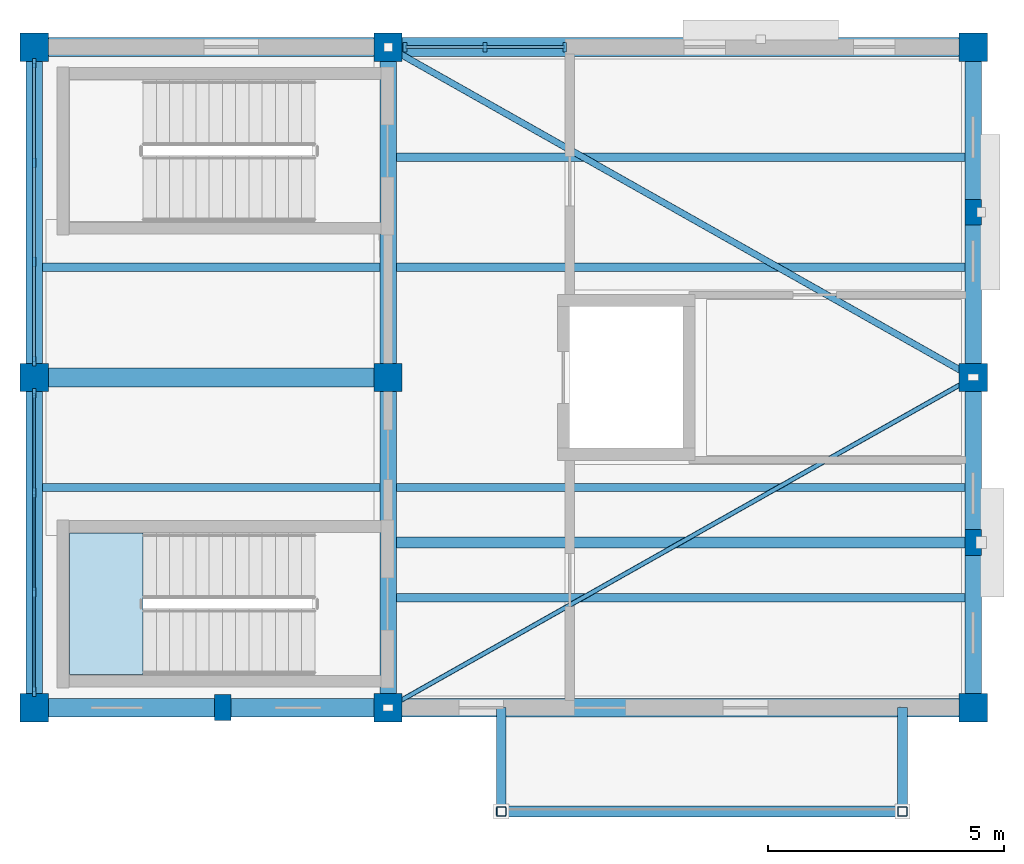
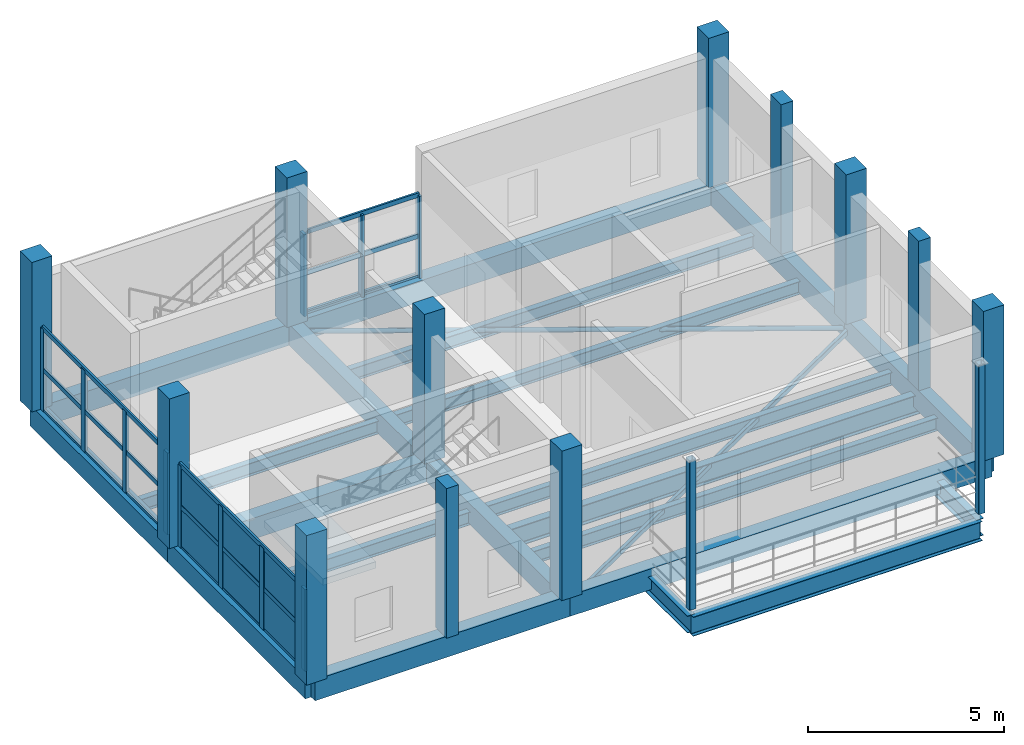
# One storey, part 1 of 4: 22 members, 21 beams, 14 columns, 6 plates, 1 slab, 4 elements without a shape of their own.
"""IFC4 building model written with IfcOpenShell, lengths in metres."""

from ifc_helpers import new_model, si_unit, direction, frame, origin, origin_2d, place, context, subcontext, project, spatial, polyline, rectangle, hollow_rectangle, hollow_circle, i_section, outline, extrude, material, layer, layer_set, material_profile, profile_set, type_object, element, aggregate, save


model = new_model("IFC4")

# Units and contexts
model_context = context("Model", 3, precision=1e-05, world=origin(), true_north=direction((0.0, 1.0)))
body_context = subcontext(model_context, "Body", "Model", "MODEL_VIEW")
ifc_project = project(units=[si_unit("LENGTHUNIT", "METRE"), si_unit("AREAUNIT", "SQUARE_METRE"), si_unit("VOLUMEUNIT", "CUBIC_METRE"), si_unit("PLANEANGLEUNIT", "RADIAN"), si_unit("MASSUNIT", "GRAM", prefix="KILO")], contexts=[model_context])

# Site, building, storey
site_placement = place(None, origin())
site = spatial("IfcSite", under=ifc_project, at=site_placement, CompositionType="ELEMENT")
building_placement = place(site_placement, origin())
building = spatial("IfcBuilding", under=site, at=building_placement, Name="Trellovar Central Fire Station", CompositionType="ELEMENT")
storey_placement = place(building_placement, frame((0.0, 0.0, 17.39990234375)))
storey = spatial("IfcBuildingStorey", under=building, at=storey_placement, Name="L05", CompositionType="ELEMENT", Elevation=17.39990234375)

# Columns
ifc_material_1 = material(Name="Concrete C40/50", Category="concrete")
ifc_material_profile_1 = material_profile(ifc_material_1, rectangle(XDim=0.60009765625, YDim=0.60009765625, at=origin_2d()), Name="RC600X600")
ifc_profile_set_1 = profile_set([ifc_material_profile_1], Name="Concrete C40/50")
column_type_1 = type_object("IfcColumnType", Name="COL-C6", PredefinedType="COLUMN", material=ifc_profile_set_1)
for number, where, z_axis, x_axis, name in (
    (1, (141.10009765625, 59.0, 0.0), (0.0, 0.0, 1.0), (1.0, 0.0, 0.0), "L05 column C-6"),
    (2, (141.10009765625, 66.0, 0.0), (0.0, 0.0, 1.0), (1.0, 0.0, 0.0), "L05 column C-6"),
    (3, (141.10009765625, 73.0, 0.0), (0.0, 0.0, 1.0), (1.0, 0.0, 0.0), "L05 column C-6"),
    (4, (148.60009765625, 59.0, 0.0), (0.0, 0.0, 1.0), (1.0, 0.0, 0.0), "L05 column C-6"),
    (5, (148.60009765625, 66.0, 0.0), (0.0, 0.0, 1.0), (1.0, 0.0, 0.0), "L05 column C-6"),
    (6, (148.60009765625, 73.0, 0.0), (0.0, 0.0, 1.0), (1.0, 0.0, 0.0), "L05 column C-6"),
    (7, (161.0, 59.0, 0.0), (0.0, 0.0, 1.0), (1.0, 0.0, 0.0), "L05 column C-6"),
    (8, (161.0, 66.0, 0.0), (0.0, 0.0, 1.0), (1.0, 0.0, 0.0), "L05 column C-6"),
    (9, (161.0, 73.0, 0.0), (0.0, 0.0, 1.0), (1.0, 0.0, 0.0), "L05 column C-6"),
):
    element("IfcColumn", number, at=place(storey_placement, frame(where, z_axis=z_axis, x_axis=x_axis)), inside=storey, type_object=column_type_1, Name=name, PredefinedType="COLUMN", context=body_context, shape_type="SweptSolid", body=[
        extrude(rectangle(XDim=0.60009765625, YDim=0.60009765625, at=origin_2d()), origin(), (0.0, 0.0, 1.0), 4.650146484375),
    ])
ifc_material_2 = material(Name="Concrete C40/50", Category="concrete")
ifc_material_profile_2 = material_profile(ifc_material_2, rectangle(XDim=0.35009765625, YDim=0.550048828125, at=origin_2d()), Name="RC350X550")
ifc_profile_set_2 = profile_set([ifc_material_profile_2], Name="Concrete C40/50")
column_type_2 = type_object("IfcColumnType", Name="COL-PIL2", PredefinedType="PILASTER", material=ifc_profile_set_2)
for number, where, z_axis, x_axis, name in (
    (10, (145.10009765625, 59.0, 0.0), (0.0, 0.0, 1.0), (1.0, 0.0, 0.0), "V2 drill tower vertical buttress fin L05-1"),
    (11, (161.0, 62.5, 0.0), (0.0, 0.0, 1.0), (1.0, 0.0, 0.0), "V2 drill tower vertical buttress fin L05-2"),
    (12, (161.0, 69.5, 0.0), (0.0, 0.0, 1.0), (1.0, 0.0, 0.0), "V2 drill tower vertical buttress fin L05-3"),
):
    element("IfcColumn", number, at=place(storey_placement, frame(where, z_axis=z_axis, x_axis=x_axis)), inside=storey, type_object=column_type_2, Name=name, PredefinedType="PILASTER", context=body_context, shape_type="SweptSolid", body=[
        extrude(rectangle(XDim=0.35009765625, YDim=0.550048828125, at=origin_2d()), origin(), (0.0, 0.0, 1.0), 4.650146484375),
    ])
ifc_material_3 = material(Name="Steel ASTM A500 Grade C", Category="steel")
ifc_material_profile_3 = material_profile(ifc_material_3, hollow_rectangle(XDim=0.203125, YDim=0.203125, WallThickness=0.01171875, InnerFilletRadius=0.01171875, OuterFilletRadius=0.023681640625, at=origin_2d()), Name="HSS8X8X1/2")
ifc_profile_set_3 = profile_set([ifc_material_profile_3], Name="Steel ASTM A500 Grade C")
column_type_3 = type_object("IfcColumnType", Name="COL-SC5", PredefinedType="COLUMN", material=ifc_profile_set_3)
for number, where, z_axis, x_axis, name in (
    (13, (151.0, 56.800048828125, 0.0), (0.0, 0.0, 1.0), (1.0, 0.0, 0.0), "V2 L05 training balcony support post"),
    (14, (159.5, 56.800048828125, 0.0), (0.0, 0.0, 1.0), (1.0, 0.0, 0.0), "V2 L05 training balcony support post"),
):
    element("IfcColumn", number, at=place(storey_placement, frame(where, z_axis=z_axis, x_axis=x_axis)), inside=storey, type_object=column_type_3, Name=name, PredefinedType="COLUMN", context=body_context, shape_type="SweptSolid", body=[
        extrude(hollow_rectangle(XDim=0.203125, YDim=0.203125, WallThickness=0.01171875, InnerFilletRadius=0.01171875, OuterFilletRadius=0.023681640625, at=origin_2d()), origin(), (0.0, 0.0, 1.0), 4.650146484375),
    ])

# Beams
ifc_material_4 = material(Name="Concrete C40/50", Category="concrete")
ifc_material_profile_4 = material_profile(ifc_material_4, rectangle(XDim=0.39990234375, YDim=0.64990234375, at=origin_2d()), Name="RC400X650")
ifc_profile_set_4 = profile_set([ifc_material_profile_4], Name="Concrete C40/50")
beam_type_1 = type_object("IfcBeamType", Name="BM-G4", PredefinedType="BEAM", material=ifc_profile_set_4)
beam_1_placement = place(storey_placement, frame((141.10009765625, 59.0, -0.324951171875), z_axis=(1.0, 0.0, 0.0), x_axis=(0.0, 1.0, 0.0)))
element("IfcBeam", 15, at=beam_1_placement, inside=storey, type_object=beam_type_1, Name="L05 beam G-4", PredefinedType="BEAM", context=body_context, shape_type="SweptSolid", body=[
    extrude(rectangle(XDim=0.39990234375, YDim=0.64990234375, at=origin_2d()), origin(), (0.0, 0.0, 1.0), 7.5),
])
beam_2_placement = place(storey_placement, frame((148.60009765625, 59.0, -0.324951171875), z_axis=(1.0, 0.0, 0.0), x_axis=(0.0, 1.0, 0.0)))
element("IfcBeam", 16, at=beam_2_placement, inside=storey, type_object=beam_type_1, Name="L05 beam G-4", PredefinedType="BEAM", context=body_context, shape_type="SweptSolid", body=[
    extrude(rectangle(XDim=0.39990234375, YDim=0.64990234375, at=origin_2d()), origin(), (0.0, 0.0, 1.0), 12.39990234375),
])
for number, where, z_axis, x_axis, name in (
    (17, (141.10009765625, 66.0, -0.324951171875), (1.0, 0.0, 0.0), (0.0, 1.0, 0.0), "L05 beam G-4"),
    (18, (141.10009765625, 73.0, -0.324951171875), (1.0, 0.0, 0.0), (0.0, 1.0, 0.0), "L05 beam G-4"),
):
    element("IfcBeam", number, at=place(storey_placement, frame(where, z_axis=z_axis, x_axis=x_axis)), inside=storey, type_object=beam_type_1, Name=name, PredefinedType="BEAM", context=body_context, shape_type="SweptSolid", body=[
        extrude(rectangle(XDim=0.39990234375, YDim=0.64990234375, at=origin_2d()), origin(), (0.0, 0.0, 1.0), 7.5),
    ])
beam_3_placement = place(storey_placement, frame((148.60009765625, 73.0, -0.324951171875), z_axis=(1.0, 0.0, 0.0), x_axis=(0.0, 1.0, 0.0)))
element("IfcBeam", 19, at=beam_3_placement, inside=storey, type_object=beam_type_1, Name="L05 beam G-4", PredefinedType="BEAM", context=body_context, shape_type="SweptSolid", body=[
    extrude(rectangle(XDim=0.39990234375, YDim=0.64990234375, at=origin_2d()), origin(), (0.0, 0.0, 1.0), 12.39990234375),
])
ifc_material_5 = material(Name="Concrete C40/50", Category="concrete")
ifc_material_profile_5 = material_profile(ifc_material_5, rectangle(XDim=0.35009765625, YDim=0.64990234375, at=origin_2d()), Name="RC350X650")
ifc_profile_set_5 = profile_set([ifc_material_profile_5], Name="Concrete C40/50")
beam_type_2 = type_object("IfcBeamType", Name="BM-G5", PredefinedType="BEAM", material=ifc_profile_set_5)
for number, where, z_axis, x_axis, name in (
    (20, (141.10009765625, 59.0, -0.324951171875), (0.0, 1.0, 0.0), (-1.0, 0.0, 0.0), "L05 beam G-5"),
    (21, (141.10009765625, 66.0, -0.324951171875), (0.0, 1.0, 0.0), (-1.0, 0.0, 0.0), "L05 beam G-5"),
    (22, (148.60009765625, 59.0, -0.324951171875), (0.0, 1.0, 0.0), (-1.0, 0.0, 0.0), "L05 beam G-5"),
    (23, (148.60009765625, 66.0, -0.324951171875), (0.0, 1.0, 0.0), (-1.0, 0.0, 0.0), "L05 beam G-5"),
    (24, (161.0, 59.0, -0.324951171875), (0.0, 1.0, 0.0), (-1.0, 0.0, 0.0), "L05 beam G-5"),
    (25, (161.0, 66.0, -0.324951171875), (0.0, 1.0, 0.0), (-1.0, 0.0, 0.0), "L05 beam G-5"),
):
    element("IfcBeam", number, at=place(storey_placement, frame(where, z_axis=z_axis, x_axis=x_axis)), inside=storey, type_object=beam_type_2, Name=name, PredefinedType="BEAM", context=body_context, shape_type="SweptSolid", body=[
        extrude(rectangle(XDim=0.35009765625, YDim=0.64990234375, at=origin_2d()), origin(), (0.0, 0.0, 1.0), 7.0),
    ])
ifc_material_6 = material(Name="Steel ASTM A992 Grade 50", Category="steel")
ifc_material_profile_6 = material_profile(ifc_material_6, i_section(OverallWidth=0.177490234375, OverallDepth=0.40380859375, WebThickness=0.007568359375, FlangeThickness=0.010986328125, FilletRadius=0.011474609375, at=origin_2d()), Name="W16X36")
ifc_profile_set_6 = profile_set([ifc_material_profile_6], Name="Steel ASTM A992 Grade 50")
beam_type_3 = type_object("IfcBeamType", Name="BM-SW11", PredefinedType="JOIST", material=ifc_profile_set_6)
for number, where, z_axis, x_axis, name in (
    (26, (141.27001953125, 63.666748046875, -0.44189453125), (1.0, 0.0, 0.0), (0.0, 1.0, 0.0), "L05 beam SB-11"),
    (27, (141.27001953125, 68.333251953125, -0.44189453125), (1.0, 0.0, 0.0), (0.0, 1.0, 0.0), "L05 beam SB-11"),
):
    element("IfcBeam", number, at=place(storey_placement, frame(where, z_axis=z_axis, x_axis=x_axis)), inside=storey, type_object=beam_type_3, Name=name, PredefinedType="JOIST", context=body_context, shape_type="SweptSolid", body=[
        extrude(i_section(OverallWidth=0.177490234375, OverallDepth=0.40380859375, WebThickness=0.007568359375, FlangeThickness=0.010986328125, FilletRadius=0.011474609375, at=origin_2d()), origin(), (0.0, 0.0, 1.0), 7.159912109375),
    ])
for number, where, z_axis, x_axis, name in (
    (28, (148.77001953125, 61.333251953125, -0.44189453125), (1.0, 0.0, 0.0), (0.0, 1.0, 0.0), "L05 beam SB-11"),
    (29, (148.77001953125, 63.666748046875, -0.44189453125), (1.0, 0.0, 0.0), (0.0, 1.0, 0.0), "L05 beam SB-11"),
    (30, (148.77001953125, 68.333251953125, -0.44189453125), (1.0, 0.0, 0.0), (0.0, 1.0, 0.0), "L05 beam SB-11"),
    (31, (148.77001953125, 70.666748046875, -0.44189453125), (1.0, 0.0, 0.0), (0.0, 1.0, 0.0), "L05 beam SB-11"),
):
    element("IfcBeam", number, at=place(storey_placement, frame(where, z_axis=z_axis, x_axis=x_axis)), inside=storey, type_object=beam_type_3, Name=name, PredefinedType="JOIST", context=body_context, shape_type="SweptSolid", body=[
        extrude(i_section(OverallWidth=0.177490234375, OverallDepth=0.40380859375, WebThickness=0.007568359375, FlangeThickness=0.010986328125, FilletRadius=0.011474609375, at=origin_2d()), origin(), (0.0, 0.0, 1.0), 12.06005859375),
    ])
ifc_material_7 = material(Name="Steel ASTM A992 Grade 50", Category="steel")
ifc_material_profile_7 = material_profile(ifc_material_7, i_section(OverallWidth=0.22900390625, OverallDepth=0.612060546875, WebThickness=0.011962890625, FlangeThickness=0.01953125, FilletRadius=0.01513671875, at=origin_2d()), Name="W24X84")
ifc_profile_set_7 = profile_set([ifc_material_profile_7], Name="Steel ASTM A992 Grade 50")
beam_type_4 = type_object("IfcBeamType", Name="BM-SW5", PredefinedType="BEAM", material=ifc_profile_set_7)
beam_4_placement = place(storey_placement, frame((148.60009765625, 62.5, -0.5458984375), z_axis=(1.0, 0.0, 0.0), x_axis=(0.0, 1.0, 0.0)))
element("IfcBeam", 32, at=beam_4_placement, inside=storey, type_object=beam_type_4, Name="V2 L05 44.5 kN rappel anchor beam", PredefinedType="BEAM", context=body_context, shape_type="SweptSolid", body=[
    extrude(i_section(OverallWidth=0.22900390625, OverallDepth=0.612060546875, WebThickness=0.011962890625, FlangeThickness=0.01953125, FilletRadius=0.01513671875, at=origin_2d()), origin(), (0.0, 0.0, 1.0), 12.39990234375),
])
ifc_material_8 = material(Name="Steel ASTM A992 Grade 50", Category="steel")
ifc_material_profile_8 = material_profile(ifc_material_8, i_section(OverallWidth=0.227783203125, OverallDepth=0.60205078125, WebThickness=0.010498046875, FlangeThickness=0.014892578125, FilletRadius=0.01513671875, at=origin_2d()), Name="W24X68")
ifc_profile_set_8 = profile_set([ifc_material_profile_8], Name="Steel ASTM A992 Grade 50")
beam_type_5 = type_object("IfcBeamType", Name="BM-SW6", PredefinedType="BEAM", material=ifc_profile_set_8)
beam_5_placement = place(storey_placement, frame((151.0, 56.800048828125, -0.531005859375), z_axis=(1.0, 0.0, 0.0), x_axis=(0.0, 1.0, 0.0)))
element("IfcBeam", 33, at=beam_5_placement, inside=storey, type_object=beam_type_5, Name="V2 L05 balcony edge beam", PredefinedType="BEAM", context=body_context, shape_type="SweptSolid", body=[
    extrude(i_section(OverallWidth=0.227783203125, OverallDepth=0.60205078125, WebThickness=0.010498046875, FlangeThickness=0.014892578125, FilletRadius=0.01513671875, at=origin_2d()), origin(), (0.0, 0.0, 1.0), 8.5),
])
ifc_material_9 = material(Name="Steel ASTM A992 Grade 50", Category="steel")
ifc_material_profile_9 = material_profile(ifc_material_9, i_section(OverallWidth=0.209228515625, OverallDepth=0.533447265625, WebThickness=0.01025390625, FlangeThickness=0.015625, FilletRadius=0.013916015625, at=origin_2d()), Name="W21X62")
ifc_profile_set_9 = profile_set([ifc_material_profile_9], Name="Steel ASTM A992 Grade 50")
beam_type_6 = type_object("IfcBeamType", Name="BM-SW7", PredefinedType="BEAM", material=ifc_profile_set_9)
for number, where, z_axis, x_axis, name in (
    (34, (151.0, 56.800048828125, -0.49658203125), (0.0, 1.0, 0.0), (-1.0, 0.0, 0.0), "V2 L05 balcony tie beam"),
    (35, (159.5, 56.800048828125, -0.49658203125), (0.0, 1.0, 0.0), (-1.0, 0.0, 0.0), "V2 L05 balcony tie beam"),
):
    element("IfcBeam", number, at=place(storey_placement, frame(where, z_axis=z_axis, x_axis=x_axis)), inside=storey, type_object=beam_type_6, Name=name, PredefinedType="BEAM", context=body_context, shape_type="SweptSolid", body=[
        extrude(i_section(OverallWidth=0.209228515625, OverallDepth=0.533447265625, WebThickness=0.01025390625, FlangeThickness=0.015625, FilletRadius=0.013916015625, at=origin_2d()), origin(), (0.0, 0.0, 1.0), 2.199951171875),
    ])

# Curtain wall, members
ifc_material_10 = material(Name="Thermally broken bronze anodized aluminum", Category="aluminium")
ifc_layer_1 = layer(ifc_material_10, 0.159912109375)
ifc_layer_set_1 = layer_set([ifc_layer_1], Name="Thermally broken bronze anodized aluminum")
curtain_wall_type_1 = type_object("IfcCurtainWallType", Name="CW-08", PredefinedType="NOTDEFINED", material=ifc_layer_set_1)
curtain_wall_1_placement = place(storey_placement, origin())
curtain_wall_1 = element("IfcCurtainWall", 36, at=curtain_wall_1_placement, inside=storey, type_object=curtain_wall_type_1, Name="V2 L05 north lobby curtain wall", PredefinedType="NOTDEFINED")
ifc_material_11 = material(Name="Thermally broken bronze anodized aluminum", Category="aluminium")
ifc_material_profile_10 = material_profile(ifc_material_11, rectangle(XDim=0.074951171875, YDim=0.199951171875, at=origin_2d()), Name="ALU75X200")
ifc_profile_set_10 = profile_set([ifc_material_profile_10], Name="Thermally broken bronze anodized aluminum")
member_type_1 = type_object("IfcMemberType", Name="CWM-1", PredefinedType="MULLION", material=ifc_profile_set_10)
member_1_placement = place(storey_placement, frame((152.35009765625, 73.0, 0.0), z_axis=(0.0, 0.0, 1.0), x_axis=(1.0, 0.0, 0.0)))
member_1 = element("IfcMember", 37, at=member_1_placement, type_object=member_type_1, Name="CW3-L05-0165 mullion 1", PredefinedType="MULLION", context=body_context, shape_type="SweptSolid", body=[
    extrude(rectangle(XDim=0.074951171875, YDim=0.199951171875, at=origin_2d()), origin(), (0.0, 0.0, 1.0), 2.550048828125),
])
member_2_placement = place(storey_placement, frame((150.655029296875, 73.0, 0.0), z_axis=(0.0, 0.0, 1.0), x_axis=(1.0, 0.0, 0.0)))
member_2 = element("IfcMember", 38, at=member_2_placement, type_object=member_type_1, Name="CW3-L05-0165 mullion 2", PredefinedType="MULLION", context=body_context, shape_type="SweptSolid", body=[
    extrude(rectangle(XDim=0.074951171875, YDim=0.199951171875, at=origin_2d()), origin(), (0.0, 0.0, 1.0), 2.550048828125),
])
member_3_placement = place(storey_placement, frame((148.9599609375, 73.0, 0.0), z_axis=(0.0, 0.0, 1.0), x_axis=(1.0, 0.0, 0.0)))
member_3 = element("IfcMember", 39, at=member_3_placement, type_object=member_type_1, Name="CW3-L05-0165 mullion 3", PredefinedType="MULLION", context=body_context, shape_type="SweptSolid", body=[
    extrude(rectangle(XDim=0.074951171875, YDim=0.199951171875, at=origin_2d()), origin(), (0.0, 0.0, 1.0), 2.550048828125),
])

ifc_material_12 = material(Name="Thermally broken bronze anodized aluminum", Category="aluminium")
ifc_layer_2 = layer(ifc_material_12, 0.159912109375)
ifc_layer_set_2 = layer_set([ifc_layer_2], Name="Thermally broken bronze anodized aluminum")
curtain_wall_type_2 = type_object("IfcCurtainWallType", Name="CW-09", PredefinedType="NOTDEFINED", material=ifc_layer_set_2)
curtain_wall_2_placement = place(storey_placement, origin())
curtain_wall_2 = element("IfcCurtainWall", 40, at=curtain_wall_2_placement, inside=storey, type_object=curtain_wall_type_2, Name="V2 L05 west drill yard curtain wall", PredefinedType="NOTDEFINED")
member_4_placement = place(storey_placement, frame((141.10009765625, 59.340087890625, 0.0), z_axis=(0.0, 0.0, 1.0), x_axis=(1.0, 0.0, 0.0)))
member_4 = element("IfcMember", 41, at=member_4_placement, type_object=member_type_1, Name="CW3-L05-0166 mullion 1", PredefinedType="MULLION", context=body_context, shape_type="SweptSolid", body=[
    extrude(rectangle(XDim=0.074951171875, YDim=0.199951171875, at=origin_2d()), origin(), (0.0, 0.0, 1.0), 2.550048828125),
])
member_5_placement = place(storey_placement, frame((141.10009765625, 61.44677734375, 0.0), z_axis=(0.0, 0.0, 1.0), x_axis=(1.0, 0.0, 0.0)))
member_5 = element("IfcMember", 42, at=member_5_placement, type_object=member_type_1, Name="CW3-L05-0166 mullion 2", PredefinedType="MULLION", context=body_context, shape_type="SweptSolid", body=[
    extrude(rectangle(XDim=0.074951171875, YDim=0.199951171875, at=origin_2d()), origin(), (0.0, 0.0, 1.0), 2.550048828125),
])
member_6_placement = place(storey_placement, frame((141.10009765625, 63.55322265625, 0.0), z_axis=(0.0, 0.0, 1.0), x_axis=(1.0, 0.0, 0.0)))
member_6 = element("IfcMember", 43, at=member_6_placement, type_object=member_type_1, Name="CW3-L05-0166 mullion 3", PredefinedType="MULLION", context=body_context, shape_type="SweptSolid", body=[
    extrude(rectangle(XDim=0.074951171875, YDim=0.199951171875, at=origin_2d()), origin(), (0.0, 0.0, 1.0), 2.550048828125),
])
member_7_placement = place(storey_placement, frame((141.10009765625, 65.659912109375, 0.0), z_axis=(0.0, 0.0, 1.0), x_axis=(1.0, 0.0, 0.0)))
member_7 = element("IfcMember", 44, at=member_7_placement, type_object=member_type_1, Name="CW3-L05-0166 mullion 4", PredefinedType="MULLION", context=body_context, shape_type="SweptSolid", body=[
    extrude(rectangle(XDim=0.074951171875, YDim=0.199951171875, at=origin_2d()), origin(), (0.0, 0.0, 1.0), 2.550048828125),
])

curtain_wall_3_placement = place(storey_placement, origin())
curtain_wall_3 = element("IfcCurtainWall", 45, at=curtain_wall_3_placement, inside=storey, type_object=curtain_wall_type_2, Name="V2 L05 west drill yard curtain wall", PredefinedType="NOTDEFINED")
member_8_placement = place(storey_placement, frame((141.10009765625, 66.340087890625, 0.0), z_axis=(0.0, 0.0, 1.0), x_axis=(1.0, 0.0, 0.0)))
member_8 = element("IfcMember", 46, at=member_8_placement, type_object=member_type_1, Name="CW3-L05-0167 mullion 1", PredefinedType="MULLION", context=body_context, shape_type="SweptSolid", body=[
    extrude(rectangle(XDim=0.074951171875, YDim=0.199951171875, at=origin_2d()), origin(), (0.0, 0.0, 1.0), 2.550048828125),
])
member_9_placement = place(storey_placement, frame((141.10009765625, 68.44677734375, 0.0), z_axis=(0.0, 0.0, 1.0), x_axis=(1.0, 0.0, 0.0)))
member_9 = element("IfcMember", 47, at=member_9_placement, type_object=member_type_1, Name="CW3-L05-0167 mullion 2", PredefinedType="MULLION", context=body_context, shape_type="SweptSolid", body=[
    extrude(rectangle(XDim=0.074951171875, YDim=0.199951171875, at=origin_2d()), origin(), (0.0, 0.0, 1.0), 2.550048828125),
])
member_10_placement = place(storey_placement, frame((141.10009765625, 70.55322265625, 0.0), z_axis=(0.0, 0.0, 1.0), x_axis=(1.0, 0.0, 0.0)))
member_10 = element("IfcMember", 48, at=member_10_placement, type_object=member_type_1, Name="CW3-L05-0167 mullion 3", PredefinedType="MULLION", context=body_context, shape_type="SweptSolid", body=[
    extrude(rectangle(XDim=0.074951171875, YDim=0.199951171875, at=origin_2d()), origin(), (0.0, 0.0, 1.0), 2.550048828125),
])
member_11_placement = place(storey_placement, frame((141.10009765625, 72.659912109375, 0.0), z_axis=(0.0, 0.0, 1.0), x_axis=(1.0, 0.0, 0.0)))
member_11 = element("IfcMember", 49, at=member_11_placement, type_object=member_type_1, Name="CW3-L05-0167 mullion 4", PredefinedType="MULLION", context=body_context, shape_type="SweptSolid", body=[
    extrude(rectangle(XDim=0.074951171875, YDim=0.199951171875, at=origin_2d()), origin(), (0.0, 0.0, 1.0), 2.550048828125),
])

# Member
ifc_material_13 = material(Name="Thermally broken bronze anodized aluminum", Category="aluminium")
ifc_material_profile_11 = material_profile(ifc_material_13, rectangle(XDim=0.06005859375, YDim=0.139892578125, at=origin_2d()), Name="ALU60X140")
ifc_profile_set_11 = profile_set([ifc_material_profile_11], Name="Thermally broken bronze anodized aluminum")
member_type_2 = type_object("IfcMemberType", Name="CWT-1", PredefinedType="USERDEFINED", material=ifc_profile_set_11)
member_12_placement = place(storey_placement, frame((152.35009765625, 73.0, 0.0), z_axis=(-1.0, 0.0, 0.0), x_axis=(0.0, -1.0, 0.0)))
member_12 = element("IfcMember", 50, at=member_12_placement, type_object=member_type_2, Name="CW3-L05-0165 transom 1", ObjectType="TRANSOM", PredefinedType="USERDEFINED", context=body_context, shape_type="SweptSolid", body=[
    extrude(rectangle(XDim=0.06005859375, YDim=0.139892578125, at=origin_2d()), origin(), (0.0, 0.0, 1.0), 3.39013671875),
])

member_13_placement = place(storey_placement, frame((152.35009765625, 73.0, 1.275146484375), z_axis=(-1.0, 0.0, 0.0), x_axis=(0.0, -1.0, 0.0)))
member_13 = element("IfcMember", 51, at=member_13_placement, type_object=member_type_2, Name="CW3-L05-0165 transom 2", ObjectType="TRANSOM", PredefinedType="USERDEFINED", context=body_context, shape_type="SweptSolid", body=[
    extrude(rectangle(XDim=0.06005859375, YDim=0.139892578125, at=origin_2d()), origin(), (0.0, 0.0, 1.0), 3.39013671875),
])

member_14_placement = place(storey_placement, frame((152.35009765625, 73.0, 2.550048828125), z_axis=(-1.0, 0.0, 0.0), x_axis=(0.0, -1.0, 0.0)))
member_14 = element("IfcMember", 52, at=member_14_placement, type_object=member_type_2, Name="CW3-L05-0165 transom 3", ObjectType="TRANSOM", PredefinedType="USERDEFINED", context=body_context, shape_type="SweptSolid", body=[
    extrude(rectangle(XDim=0.06005859375, YDim=0.139892578125, at=origin_2d()), origin(), (0.0, 0.0, 1.0), 3.39013671875),
])

aggregate(curtain_wall_1, [member_1, member_2, member_3, member_12, member_13, member_14])

member_15_placement = place(storey_placement, frame((141.10009765625, 59.340087890625, 0.0), z_axis=(0.0, 1.0, 0.0), x_axis=(-1.0, 0.0, 0.0)))
member_15 = element("IfcMember", 53, at=member_15_placement, type_object=member_type_2, Name="CW3-L05-0166 transom 1", ObjectType="TRANSOM", PredefinedType="USERDEFINED", context=body_context, shape_type="SweptSolid", body=[
    extrude(rectangle(XDim=0.06005859375, YDim=0.139892578125, at=origin_2d()), origin(), (0.0, 0.0, 1.0), 6.31982421875),
])

member_16_placement = place(storey_placement, frame((141.10009765625, 59.340087890625, 1.275146484375), z_axis=(0.0, 1.0, 0.0), x_axis=(-1.0, 0.0, 0.0)))
member_16 = element("IfcMember", 54, at=member_16_placement, type_object=member_type_2, Name="CW3-L05-0166 transom 2", ObjectType="TRANSOM", PredefinedType="USERDEFINED", context=body_context, shape_type="SweptSolid", body=[
    extrude(rectangle(XDim=0.06005859375, YDim=0.139892578125, at=origin_2d()), origin(), (0.0, 0.0, 1.0), 6.31982421875),
])

member_17_placement = place(storey_placement, frame((141.10009765625, 59.340087890625, 2.550048828125), z_axis=(0.0, 1.0, 0.0), x_axis=(-1.0, 0.0, 0.0)))
member_17 = element("IfcMember", 55, at=member_17_placement, type_object=member_type_2, Name="CW3-L05-0166 transom 3", ObjectType="TRANSOM", PredefinedType="USERDEFINED", context=body_context, shape_type="SweptSolid", body=[
    extrude(rectangle(XDim=0.06005859375, YDim=0.139892578125, at=origin_2d()), origin(), (0.0, 0.0, 1.0), 6.31982421875),
])

member_18_placement = place(storey_placement, frame((141.10009765625, 66.340087890625, 0.0), z_axis=(0.0, 1.0, 0.0), x_axis=(-1.0, 0.0, 0.0)))
member_18 = element("IfcMember", 56, at=member_18_placement, type_object=member_type_2, Name="CW3-L05-0167 transom 1", ObjectType="TRANSOM", PredefinedType="USERDEFINED", context=body_context, shape_type="SweptSolid", body=[
    extrude(rectangle(XDim=0.06005859375, YDim=0.139892578125, at=origin_2d()), origin(), (0.0, 0.0, 1.0), 6.31982421875),
])

member_19_placement = place(storey_placement, frame((141.10009765625, 66.340087890625, 1.275146484375), z_axis=(0.0, 1.0, 0.0), x_axis=(-1.0, 0.0, 0.0)))
member_19 = element("IfcMember", 57, at=member_19_placement, type_object=member_type_2, Name="CW3-L05-0167 transom 2", ObjectType="TRANSOM", PredefinedType="USERDEFINED", context=body_context, shape_type="SweptSolid", body=[
    extrude(rectangle(XDim=0.06005859375, YDim=0.139892578125, at=origin_2d()), origin(), (0.0, 0.0, 1.0), 6.31982421875),
])

member_20_placement = place(storey_placement, frame((141.10009765625, 66.340087890625, 2.550048828125), z_axis=(0.0, 1.0, 0.0), x_axis=(-1.0, 0.0, 0.0)))
member_20 = element("IfcMember", 58, at=member_20_placement, type_object=member_type_2, Name="CW3-L05-0167 transom 3", ObjectType="TRANSOM", PredefinedType="USERDEFINED", context=body_context, shape_type="SweptSolid", body=[
    extrude(rectangle(XDim=0.06005859375, YDim=0.139892578125, at=origin_2d()), origin(), (0.0, 0.0, 1.0), 6.31982421875),
])

aggregate(curtain_wall_3, [member_8, member_9, member_10, member_11, member_18, member_19, member_20])

# Members
ifc_material_14 = material(Name="Steel ASTM A500 Grade C", Category="steel")
ifc_material_profile_12 = material_profile(ifc_material_14, hollow_rectangle(XDim=0.1015625, YDim=0.15234375, WallThickness=0.005859375, InnerFilletRadius=0.005859375, OuterFilletRadius=0.01171875, at=origin_2d()), Name="HSS6X4X1/4")
ifc_profile_set_12 = profile_set([ifc_material_profile_12], Name="Steel ASTM A500 Grade C")
member_type_3 = type_object("IfcMemberType", Name="MEM-ST2", PredefinedType="STRUT", material=ifc_profile_set_12)
member_21_placement = place(storey_placement, frame((148.60009765625, 59.0, -0.389892578125), z_axis=(0.870822651699, 0.491597303987, 0.0), x_axis=(-0.491597303987, 0.870822651699, 0.0)))
element("IfcMember", 59, at=member_21_placement, inside=storey, type_object=member_type_3, Name="V2 L05 deck diaphragm strut", PredefinedType="STRUT", context=body_context, shape_type="SweptSolid", body=[
    extrude(hollow_rectangle(XDim=0.1015625, YDim=0.15234375, WallThickness=0.005859375, InnerFilletRadius=0.005859375, OuterFilletRadius=0.01171875, at=origin_2d()), origin(), (0.0, 0.0, 1.0), 14.2392578125),
])
ifc_material_15 = material(Name="Steel ASTM A500 Grade C", Category="steel")
ifc_material_profile_13 = material_profile(ifc_material_15, hollow_circle(Radius=0.070556640625, WallThickness=0.006103515625, at=origin_2d()), Name="HSS5.563X0.258")
ifc_profile_set_13 = profile_set([ifc_material_profile_13], Name="Steel ASTM A500 Grade C")
member_type_4 = type_object("IfcMemberType", Name="MEM-ST4", PredefinedType="STRUT", material=ifc_profile_set_13)
member_22_placement = place(storey_placement, frame((148.60009765625, 73.0, -0.389892578125), z_axis=(0.870822651699, -0.491597303987, 0.0), x_axis=(0.491597303987, 0.870822651699, 0.0)))
element("IfcMember", 60, at=member_22_placement, inside=storey, type_object=member_type_4, Name="V2 L05 deck round HSS strut", PredefinedType="STRUT", context=body_context, shape_type="SweptSolid", body=[
    extrude(hollow_circle(Radius=0.070556640625, WallThickness=0.006103515625, at=origin_2d()), origin(), (0.0, 0.0, 1.0), 14.2392578125),
])

# Plate
ifc_material_16 = material(Name="Double low-E solar control insulated glazing", Category="glass")
ifc_layer_3 = layer(ifc_material_16, 0.031982421875)
ifc_layer_set_3 = layer_set([ifc_layer_3], Name="Double low-E solar control insulated glazing")
plate_type_1 = type_object("IfcPlateType", Name="CWP-GL1", PredefinedType="CURTAIN_PANEL", material=ifc_layer_set_3)
plate_1_placement = place(storey_placement, frame((141.10009765625, 62.5, 1.31494140625), z_axis=(0.0, 0.0, 1.0), x_axis=(0.0, 1.0, 0.0)))
plate_1 = element("IfcPlate", 61, at=plate_1_placement, type_object=plate_type_1, Name="CW3-L05-0166 panel 2-2", PredefinedType="CURTAIN_PANEL", context=body_context, shape_type="SweptSolid", body=[
    extrude(rectangle(XDim=2.026611328125, YDim=0.031982421875, at=origin_2d()), origin(), (0.0, 0.0, 1.0), 1.195068359375),
])

ifc_material_17 = material(Name="Double low-E solar control insulated glazing", Category="glass")
ifc_layer_4 = layer(ifc_material_17, 0.035888671875)
ifc_layer_set_4 = layer_set([ifc_layer_4], Name="Double low-E solar control insulated glazing")
plate_type_2 = type_object("IfcPlateType", Name="CWP-GL2", PredefinedType="CURTAIN_PANEL", material=ifc_layer_set_4)
plate_2_placement = place(storey_placement, frame((141.10009765625, 64.606689453125, 1.31494140625), z_axis=(0.0, 0.0, 1.0), x_axis=(0.0, 1.0, 0.0)))
plate_2 = element("IfcPlate", 62, at=plate_2_placement, type_object=plate_type_2, Name="CW3-L05-0166 panel 3-2", PredefinedType="CURTAIN_PANEL", context=body_context, shape_type="SweptSolid", body=[
    extrude(rectangle(XDim=2.026611328125, YDim=0.035888671875, at=origin_2d()), origin(), (0.0, 0.0, 1.0), 1.195068359375),
])

ifc_material_18 = material(Name="Double low-E solar control insulated glazing", Category="glass")
ifc_layer_5 = layer(ifc_material_18, 0.030029296875)
ifc_layer_set_5 = layer_set([ifc_layer_5], Name="Double low-E solar control insulated glazing")
plate_type_3 = type_object("IfcPlateType", Name="CWP-GL4", PredefinedType="CURTAIN_PANEL", material=ifc_layer_set_5)
plate_3_placement = place(storey_placement, frame((141.10009765625, 60.393310546875, 1.31494140625), z_axis=(0.0, 0.0, 1.0), x_axis=(0.0, 1.0, 0.0)))
plate_3 = element("IfcPlate", 63, at=plate_3_placement, type_object=plate_type_3, Name="CW3-L05-0166 panel 1-2", PredefinedType="CURTAIN_PANEL", context=body_context, shape_type="SweptSolid", body=[
    extrude(rectangle(XDim=2.026611328125, YDim=0.030029296875, at=origin_2d()), origin(), (0.0, 0.0, 1.0), 1.195068359375),
])

ifc_material_19 = material(Name="Glazed ceramic trencadis and terracotta panel", Category="masonry")
ifc_layer_6 = layer(ifc_material_19, 0.048095703125)
ifc_layer_set_6 = layer_set([ifc_layer_6], Name="Glazed ceramic trencadis and terracotta panel")
plate_type_4 = type_object("IfcPlateType", Name="CWP-SP1", PredefinedType="CURTAIN_PANEL", material=ifc_layer_set_6)
plate_4_placement = place(storey_placement, frame((141.10009765625, 60.393310546875, 0.0400390625), z_axis=(0.0, 0.0, 1.0), x_axis=(0.0, 1.0, 0.0)))
plate_4 = element("IfcPlate", 64, at=plate_4_placement, type_object=plate_type_4, Name="CW3-L05-0166 panel 1-1", PredefinedType="CURTAIN_PANEL", context=body_context, shape_type="SweptSolid", body=[
    extrude(rectangle(XDim=2.026611328125, YDim=0.048095703125, at=origin_2d()), origin(), (0.0, 0.0, 1.0), 1.195068359375),
])

plate_5_placement = place(storey_placement, frame((141.10009765625, 64.606689453125, 0.0400390625), z_axis=(0.0, 0.0, 1.0), x_axis=(0.0, 1.0, 0.0)))
plate_5 = element("IfcPlate", 65, at=plate_5_placement, type_object=plate_type_4, Name="CW3-L05-0166 panel 3-1", PredefinedType="CURTAIN_PANEL", context=body_context, shape_type="SweptSolid", body=[
    extrude(rectangle(XDim=2.026611328125, YDim=0.048095703125, at=origin_2d()), origin(), (0.0, 0.0, 1.0), 1.195068359375),
])

ifc_material_20 = material(Name="Glazed ceramic trencadis and terracotta panel", Category="masonry")
ifc_layer_7 = layer(ifc_material_20, 0.044921875)
ifc_layer_set_7 = layer_set([ifc_layer_7], Name="Glazed ceramic trencadis and terracotta panel")
plate_type_5 = type_object("IfcPlateType", Name="CWP-SP2", PredefinedType="CURTAIN_PANEL", material=ifc_layer_set_7)
plate_6_placement = place(storey_placement, frame((141.10009765625, 62.5, 0.0400390625), z_axis=(0.0, 0.0, 1.0), x_axis=(0.0, 1.0, 0.0)))
plate_6 = element("IfcPlate", 66, at=plate_6_placement, type_object=plate_type_5, Name="CW3-L05-0166 panel 2-1", PredefinedType="CURTAIN_PANEL", context=body_context, shape_type="SweptSolid", body=[
    extrude(rectangle(XDim=2.026611328125, YDim=0.044921875, at=origin_2d()), origin(), (0.0, 0.0, 1.0), 1.195068359375),
])

aggregate(curtain_wall_2, [member_4, member_5, member_6, member_7, member_15, member_16, member_17, plate_4, plate_3, plate_6, plate_1, plate_5, plate_2])

# Stair, slab
ifc_material_21 = material(Name="Concrete C40/50", Category="concrete")
stair_type = type_object("IfcStairType", Name="ST-R1661", PredefinedType="HALF_TURN_STAIR", material=ifc_material_21)
stair_placement = place(storey_placement, origin())
stair = element("IfcStair", 67, at=stair_placement, inside=storey, type_object=stair_type, Name="L05 Protected exit stair ST-05", PredefinedType="HALF_TURN_STAIR")
ifc_material_22 = material(Name="Concrete C40/50", Category="concrete")
ifc_layer_8 = layer(ifc_material_22, 0.199951171875)
ifc_layer_set_8 = layer_set([ifc_layer_8], Name="Concrete C40/50")
slab_type = type_object("IfcSlabType", Name="SLB-LND", PredefinedType="LANDING", material=ifc_layer_set_8)
slab_placement = place(storey_placement, frame((0.0, 0.0, 2.125)))
slab = element("IfcSlab", 68, at=slab_placement, type_object=slab_type, Name="ST-05 landing 1", PredefinedType="LANDING", context=body_context, shape_type="SweptSolid", body=[
    extrude(outline(polyline([(143.409912109375, 62.699951171875), (141.85009765625, 62.699951171875), (141.85009765625, 59.699951171875), (143.409912109375, 59.699951171875), (143.409912109375, 62.699951171875)])), origin(), (0.0, 0.0, 1.0), 0.2001953125),
])
aggregate(stair, [slab])

save(model, "model.ifc")
